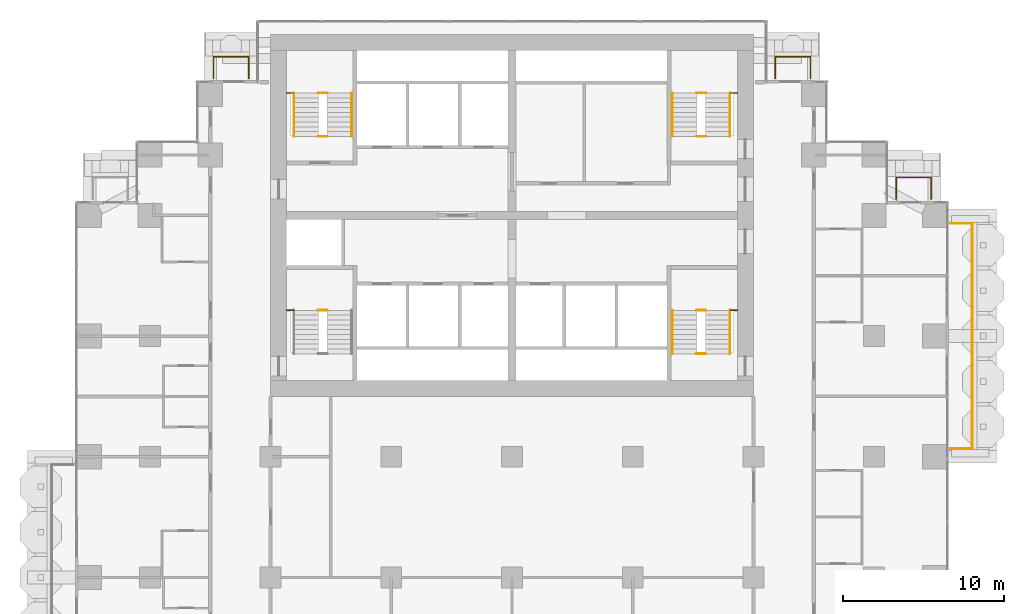
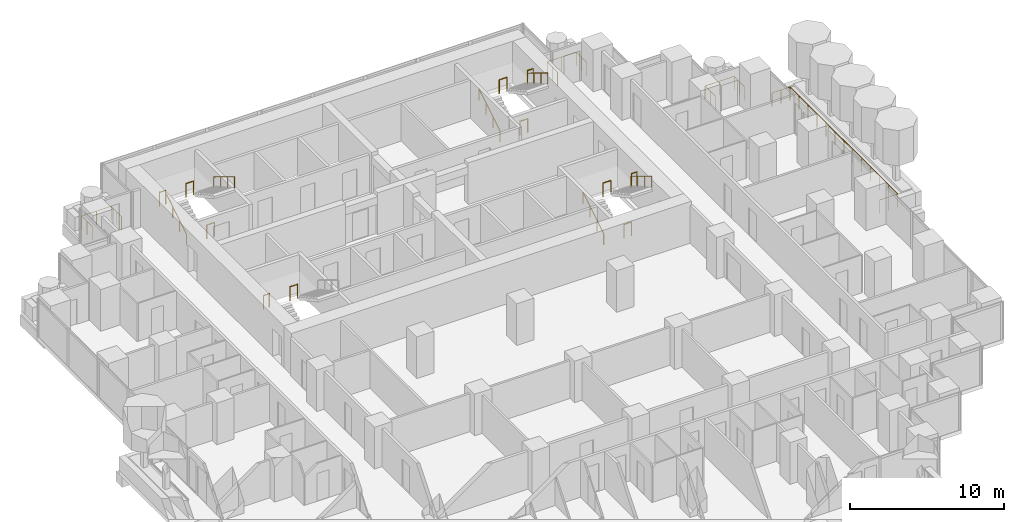
# One storey, part 18 of 19: 21 railings.
"""IFC4 building model written with IfcOpenShell, lengths in metres."""

from ifc_helpers import new_model, si_unit, direction, frame, origin, origin_2d, place, context, subcontext, project, spatial, circle, extrude, material, type_object, element, save


model = new_model("IFC4")

# Units and contexts
model_context = context("Model", 3, precision=1e-05, world=origin(), true_north=direction((0.0, 1.0)))
body_context = subcontext(model_context, "Body", "Model", "MODEL_VIEW")
ifc_project = project(units=[si_unit("LENGTHUNIT", "METRE"), si_unit("AREAUNIT", "SQUARE_METRE"), si_unit("VOLUMEUNIT", "CUBIC_METRE"), si_unit("PLANEANGLEUNIT", "RADIAN"), si_unit("MASSUNIT", "GRAM", prefix="KILO")], contexts=[model_context])

# Site, building, storey
site_placement = place(None, origin())
site = spatial("IfcSite", under=ifc_project, at=site_placement, CompositionType="ELEMENT")
building_placement = place(site_placement, origin())
building = spatial("IfcBuilding", under=site, at=building_placement, Name="Pilkhan Gate Tower", CompositionType="ELEMENT")
storey_placement = place(building_placement, frame((0.0, 0.0, 65.89990234375)))
storey = spatial("IfcBuildingStorey", under=building, at=storey_placement, Name="L14", CompositionType="ELEMENT", Elevation=65.89990234375)

# Railings
ifc_material_1 = material(Name="Pale anodised aluminium posts, laminated glass infill", Category="aluminium")
railing_type_1 = type_object("IfcRailingType", Name="Balcony guard G1", PredefinedType="BALUSTRADE", material=ifc_material_1)
railing_1_placement = place(storey_placement, frame((102.25, 68.0, 0.0)))
element("IfcRailing", 1, at=railing_1_placement, inside=storey, type_object=railing_type_1, Name="Balcony guard L14 E", PredefinedType="BALUSTRADE", context=body_context, shape_type="SweptSolid", body=[
    extrude(circle(Radius=0.02392578125, at=origin_2d()), frame((0.0, 0.0, 1.076171875), z_axis=(1.0, 0.0, 0.0), x_axis=(0.0, 1.0, 0.0)), (0.0, 0.0, 1.0), 1.35009765625),
    extrude(circle(Radius=0.02392578125, at=origin_2d()), frame((1.35009765625, 0.0, 1.076171875), z_axis=(0.0, 1.0, 0.0), x_axis=(-1.0, 0.0, 0.0)), (0.0, 0.0, 1.0), 14.0),
    extrude(circle(Radius=0.02392578125, at=origin_2d()), frame((1.35009765625, 14.0, 1.076171875), z_axis=(-1.0, 0.0, 0.0), x_axis=(0.0, -1.0, 0.0)), (0.0, 0.0, 1.0), 1.35009765625),
    extrude(circle(Radius=0.02099609375, at=origin_2d()), origin(), (0.0, 0.0, 1.0), 1.052001953125),
    extrude(circle(Radius=0.02099609375, at=origin_2d()), frame((0.675048828125, 0.0, 0.0)), (0.0, 0.0, 1.0), 1.052001953125),
    extrude(circle(Radius=0.02099609375, at=origin_2d()), frame((1.35009765625, 0.0, 0.0)), (0.0, 0.0, 1.0), 1.052001953125),
    extrude(circle(Radius=0.02099609375, at=origin_2d()), frame((1.35009765625, 1.166748046875, 0.0)), (0.0, 0.0, 1.0), 1.052001953125),
    extrude(circle(Radius=0.02099609375, at=origin_2d()), frame((1.35009765625, 2.333251953125, 0.0)), (0.0, 0.0, 1.0), 1.052001953125),
    extrude(circle(Radius=0.02099609375, at=origin_2d()), frame((1.35009765625, 3.5, 0.0)), (0.0, 0.0, 1.0), 1.052001953125),
    extrude(circle(Radius=0.02099609375, at=origin_2d()), frame((1.35009765625, 4.666748046875, 0.0)), (0.0, 0.0, 1.0), 1.052001953125),
    extrude(circle(Radius=0.02099609375, at=origin_2d()), frame((1.35009765625, 5.833251953125, 0.0)), (0.0, 0.0, 1.0), 1.052001953125),
    extrude(circle(Radius=0.02099609375, at=origin_2d()), frame((1.35009765625, 7.0, 0.0)), (0.0, 0.0, 1.0), 1.052001953125),
    extrude(circle(Radius=0.02099609375, at=origin_2d()), frame((1.35009765625, 8.166748046875, 0.0)), (0.0, 0.0, 1.0), 1.052001953125),
    extrude(circle(Radius=0.02099609375, at=origin_2d()), frame((1.35009765625, 9.333251953125, 0.0)), (0.0, 0.0, 1.0), 1.052001953125),
    extrude(circle(Radius=0.02099609375, at=origin_2d()), frame((1.35009765625, 10.5, 0.0)), (0.0, 0.0, 1.0), 1.052001953125),
    extrude(circle(Radius=0.02099609375, at=origin_2d()), frame((1.35009765625, 11.666748046875, 0.0)), (0.0, 0.0, 1.0), 1.052001953125),
    extrude(circle(Radius=0.02099609375, at=origin_2d()), frame((1.35009765625, 12.833251953125, 0.0)), (0.0, 0.0, 1.0), 1.052001953125),
    extrude(circle(Radius=0.02099609375, at=origin_2d()), frame((1.35009765625, 14.0, 0.0)), (0.0, 0.0, 1.0), 1.052001953125),
    extrude(circle(Radius=0.02099609375, at=origin_2d()), frame((0.675048828125, 14.0, 0.0)), (0.0, 0.0, 1.0), 1.052001953125),
    extrude(circle(Radius=0.02099609375, at=origin_2d()), frame((0.0, 14.0, 0.0)), (0.0, 0.0, 1.0), 1.052001953125),
])
for number, where, name in (
    (2, (56.449951171875, 91.0, 0.0), "Balcony guard L14 N"),
    (3, (91.35009765625, 91.0, 0.0), "Balcony guard L14 N"),
):
    element("IfcRailing", number, at=place(storey_placement, frame(where)), inside=storey, type_object=railing_type_1, Name=name, PredefinedType="BALUSTRADE", context=body_context, shape_type="SweptSolid", body=[
        extrude(circle(Radius=0.02392578125, at=origin_2d()), frame((0.0, 0.0, 1.076171875), z_axis=(0.0, 1.0, 0.0), x_axis=(-1.0, 0.0, 0.0)), (0.0, 0.0, 1.0), 1.35009765625),
        extrude(circle(Radius=0.02392578125, at=origin_2d()), frame((0.0, 1.35009765625, 1.076171875), z_axis=(1.0, 0.0, 0.0), x_axis=(0.0, 1.0, 0.0)), (0.0, 0.0, 1.0), 2.199951171875),
        extrude(circle(Radius=0.02392578125, at=origin_2d()), frame((2.199951171875, 1.35009765625, 1.076171875), z_axis=(0.0, -1.0, 0.0), x_axis=(1.0, 0.0, 0.0)), (0.0, 0.0, 1.0), 1.35009765625),
        extrude(circle(Radius=0.02099609375, at=origin_2d()), origin(), (0.0, 0.0, 1.0), 1.052001953125),
        extrude(circle(Radius=0.02099609375, at=origin_2d()), frame((0.0, 0.675048828125, 0.0)), (0.0, 0.0, 1.0), 1.052001953125),
        extrude(circle(Radius=0.02099609375, at=origin_2d()), frame((0.0, 1.35009765625, 0.0)), (0.0, 0.0, 1.0), 1.052001953125),
        extrude(circle(Radius=0.02099609375, at=origin_2d()), frame((1.10009765625, 1.35009765625, 0.0)), (0.0, 0.0, 1.0), 1.052001953125),
        extrude(circle(Radius=0.02099609375, at=origin_2d()), frame((2.199951171875, 1.35009765625, 0.0)), (0.0, 0.0, 1.0), 1.052001953125),
        extrude(circle(Radius=0.02099609375, at=origin_2d()), frame((2.199951171875, 0.675048828125, 0.0)), (0.0, 0.0, 1.0), 1.052001953125),
        extrude(circle(Radius=0.02099609375, at=origin_2d()), frame((2.199951171875, 0.0, 0.0)), (0.0, 0.0, 1.0), 1.052001953125),
    ])
railing_2_placement = place(storey_placement, frame((98.8701171875, 83.52001953125, 0.0)))
element("IfcRailing", 4, at=railing_2_placement, inside=storey, type_object=railing_type_1, Name="Balcony guard L14 N", PredefinedType="BALUSTRADE", context=body_context, shape_type="SweptSolid", body=[
    extrude(circle(Radius=0.02392578125, at=origin_2d()), frame((0.0, 0.0, 1.076171875), z_axis=(0.0, 1.0, 0.0), x_axis=(-1.0, 0.0, 0.0)), (0.0, 0.0, 1.0), 1.330078125),
    extrude(circle(Radius=0.02392578125, at=origin_2d()), frame((0.0, 1.330078125, 1.076171875), z_axis=(1.0, 0.0, 0.0), x_axis=(0.0, 1.0, 0.0)), (0.0, 0.0, 1.0), 2.179931640625),
    extrude(circle(Radius=0.02392578125, at=origin_2d()), frame((2.179931640625, 1.330078125, 1.076171875), z_axis=(0.0, -1.0, 0.0), x_axis=(1.0, 0.0, 0.0)), (0.0, 0.0, 1.0), 1.330078125),
    extrude(circle(Radius=0.02099609375, at=origin_2d()), origin(), (0.0, 0.0, 1.0), 1.052001953125),
    extrude(circle(Radius=0.02099609375, at=origin_2d()), frame((0.0, 0.6650390625, 0.0)), (0.0, 0.0, 1.0), 1.052001953125),
    extrude(circle(Radius=0.02099609375, at=origin_2d()), frame((0.0, 1.330078125, 0.0)), (0.0, 0.0, 1.0), 1.052001953125),
    extrude(circle(Radius=0.02099609375, at=origin_2d()), frame((1.08984375, 1.330078125, 0.0)), (0.0, 0.0, 1.0), 1.052001953125),
    extrude(circle(Radius=0.02099609375, at=origin_2d()), frame((2.179931640625, 1.330078125, 0.0)), (0.0, 0.0, 1.0), 1.052001953125),
    extrude(circle(Radius=0.02099609375, at=origin_2d()), frame((2.179931640625, 0.6650390625, 0.0)), (0.0, 0.0, 1.0), 1.052001953125),
    extrude(circle(Radius=0.02099609375, at=origin_2d()), frame((2.179931640625, 0.0, 0.0)), (0.0, 0.0, 1.0), 1.052001953125),
])
ifc_material_2 = material(Name="Black powder-coated steel tube", Category="steel")
railing_type_2 = type_object("IfcRailingType", Name="Stair handrail HR1", PredefinedType="HANDRAIL", material=ifc_material_2)
railing_3_placement = place(storey_placement, frame((84.949951171875, 73.89990234375, 0.0)))
element("IfcRailing", 5, at=railing_3_placement, inside=storey, type_object=railing_type_2, Name="Stair ST1 handrail L14", PredefinedType="HANDRAIL", context=body_context, shape_type="SweptSolid", body=[
    extrude(circle(Radius=0.02392578125, at=origin_2d()), frame((0.0, 0.0, 0.8759765625), z_axis=(0.0, 0.853278019476, 0.521456250781), x_axis=(-1.0, 0.0, 0.0)), (0.0, 0.0, 1.0), 3.16455078125),
    extrude(circle(Radius=0.02099609375, at=origin_2d()), origin(), (0.0, 0.0, 1.0), 0.851806640625),
    extrude(circle(Radius=0.02099609375, at=origin_2d()), frame((0.0, 0.900146484375, 0.550048828125)), (0.0, 0.0, 1.0), 0.851806640625),
    extrude(circle(Radius=0.02099609375, at=origin_2d()), frame((0.0, 1.800048828125, 1.10009765625)), (0.0, 0.0, 1.0), 0.851806640625),
    extrude(circle(Radius=0.02099609375, at=origin_2d()), frame((0.0, 2.7001953125, 1.650146484375)), (0.0, 0.0, 1.0), 0.851806640625),
])
railing_4_placement = place(storey_placement, frame((88.550048828125, 76.60009765625, 1.650146484375)))
element("IfcRailing", 6, at=railing_4_placement, inside=storey, type_object=railing_type_2, Name="Stair ST1 handrail L14", PredefinedType="HANDRAIL", context=body_context, shape_type="SweptSolid", body=[
    extrude(circle(Radius=0.02392578125, at=origin_2d()), frame((0.0, 0.0, 0.8759765625), z_axis=(0.0, -0.853312346642, 0.521400075823), x_axis=(1.0, 0.0, 0.0)), (0.0, 0.0, 1.0), 3.164306640625),
    extrude(circle(Radius=0.02099609375, at=origin_2d()), origin(), (0.0, 0.0, 1.0), 0.851806640625),
    extrude(circle(Radius=0.02099609375, at=origin_2d()), frame((0.0, -0.900146484375, 0.550048828125)), (0.0, 0.0, 1.0), 0.851806640625),
    extrude(circle(Radius=0.02099609375, at=origin_2d()), frame((0.0, -1.800048828125, 1.099853515625)), (0.0, 0.0, 1.0), 0.851806640625),
    extrude(circle(Radius=0.02099609375, at=origin_2d()), frame((0.0, -2.7001953125, 1.64990234375)), (0.0, 0.0, 1.0), 0.851806640625),
])
railing_5_placement = place(storey_placement, frame((61.449951171875, 87.39990234375, 0.0)))
element("IfcRailing", 7, at=railing_5_placement, inside=storey, type_object=railing_type_2, Name="Stair ST3 handrail L14", PredefinedType="HANDRAIL", context=body_context, shape_type="SweptSolid", body=[
    extrude(circle(Radius=0.02392578125, at=origin_2d()), frame((0.0, 0.0, 0.8759765625), z_axis=(0.0, 0.853278019476, 0.521456250781), x_axis=(-1.0, 0.0, 0.0)), (0.0, 0.0, 1.0), 3.16455078125),
    extrude(circle(Radius=0.02099609375, at=origin_2d()), origin(), (0.0, 0.0, 1.0), 0.851806640625),
    extrude(circle(Radius=0.02099609375, at=origin_2d()), frame((0.0, 0.900146484375, 0.550048828125)), (0.0, 0.0, 1.0), 0.851806640625),
    extrude(circle(Radius=0.02099609375, at=origin_2d()), frame((0.0, 1.800048828125, 1.10009765625)), (0.0, 0.0, 1.0), 0.851806640625),
    extrude(circle(Radius=0.02099609375, at=origin_2d()), frame((0.0, 2.7001953125, 1.650146484375)), (0.0, 0.0, 1.0), 0.851806640625),
])
railing_6_placement = place(storey_placement, frame((65.050048828125, 90.10009765625, 1.650146484375)))
element("IfcRailing", 8, at=railing_6_placement, inside=storey, type_object=railing_type_2, Name="Stair ST3 handrail L14", PredefinedType="HANDRAIL", context=body_context, shape_type="SweptSolid", body=[
    extrude(circle(Radius=0.02392578125, at=origin_2d()), frame((0.0, 0.0, 0.8759765625), z_axis=(0.0, -0.853312346642, 0.521400075823), x_axis=(1.0, 0.0, 0.0)), (0.0, 0.0, 1.0), 3.164306640625),
    extrude(circle(Radius=0.02099609375, at=origin_2d()), origin(), (0.0, 0.0, 1.0), 0.851806640625),
    extrude(circle(Radius=0.02099609375, at=origin_2d()), frame((0.0, -0.900146484375, 0.550048828125)), (0.0, 0.0, 1.0), 0.851806640625),
    extrude(circle(Radius=0.02099609375, at=origin_2d()), frame((0.0, -1.800048828125, 1.099853515625)), (0.0, 0.0, 1.0), 0.851806640625),
    extrude(circle(Radius=0.02099609375, at=origin_2d()), frame((0.0, -2.7001953125, 1.64990234375)), (0.0, 0.0, 1.0), 0.851806640625),
])
railing_7_placement = place(storey_placement, frame((84.949951171875, 87.39990234375, 0.0)))
element("IfcRailing", 9, at=railing_7_placement, inside=storey, type_object=railing_type_2, Name="Stair ST4 handrail L14", PredefinedType="HANDRAIL", context=body_context, shape_type="SweptSolid", body=[
    extrude(circle(Radius=0.02392578125, at=origin_2d()), frame((0.0, 0.0, 0.8759765625), z_axis=(0.0, 0.853278019476, 0.521456250781), x_axis=(-1.0, 0.0, 0.0)), (0.0, 0.0, 1.0), 3.16455078125),
    extrude(circle(Radius=0.02099609375, at=origin_2d()), origin(), (0.0, 0.0, 1.0), 0.851806640625),
    extrude(circle(Radius=0.02099609375, at=origin_2d()), frame((0.0, 0.900146484375, 0.550048828125)), (0.0, 0.0, 1.0), 0.851806640625),
    extrude(circle(Radius=0.02099609375, at=origin_2d()), frame((0.0, 1.800048828125, 1.10009765625)), (0.0, 0.0, 1.0), 0.851806640625),
    extrude(circle(Radius=0.02099609375, at=origin_2d()), frame((0.0, 2.7001953125, 1.650146484375)), (0.0, 0.0, 1.0), 0.851806640625),
])
railing_8_placement = place(storey_placement, frame((88.550048828125, 90.10009765625, 1.650146484375)))
element("IfcRailing", 10, at=railing_8_placement, inside=storey, type_object=railing_type_2, Name="Stair ST4 handrail L14", PredefinedType="HANDRAIL", context=body_context, shape_type="SweptSolid", body=[
    extrude(circle(Radius=0.02392578125, at=origin_2d()), frame((0.0, 0.0, 0.8759765625), z_axis=(0.0, -0.853312346642, 0.521400075823), x_axis=(1.0, 0.0, 0.0)), (0.0, 0.0, 1.0), 3.164306640625),
    extrude(circle(Radius=0.02099609375, at=origin_2d()), origin(), (0.0, 0.0, 1.0), 0.851806640625),
    extrude(circle(Radius=0.02099609375, at=origin_2d()), frame((0.0, -0.900146484375, 0.550048828125)), (0.0, 0.0, 1.0), 0.851806640625),
    extrude(circle(Radius=0.02099609375, at=origin_2d()), frame((0.0, -1.800048828125, 1.099853515625)), (0.0, 0.0, 1.0), 0.851806640625),
    extrude(circle(Radius=0.02099609375, at=origin_2d()), frame((0.0, -2.7001953125, 1.64990234375)), (0.0, 0.0, 1.0), 0.851806640625),
])
ifc_material_3 = material(Name="Black powder-coated steel balusters", Category="steel")
railing_type_3 = type_object("IfcRailingType", Name="Stair well guard G3", PredefinedType="GUARDRAIL", material=ifc_material_3)
railing_9_placement = place(storey_placement, frame((88.580078125, 76.60009765625, 1.650146484375)))
element("IfcRailing", 11, at=railing_9_placement, inside=storey, type_object=railing_type_3, Name="Stair ST1 well guard L14", PredefinedType="GUARDRAIL", context=body_context, shape_type="SweptSolid", body=[
    extrude(circle(Radius=0.02392578125, at=origin_2d()), frame((0.0, 0.0, 1.076171875), z_axis=(1.0, 0.0, 0.0), x_axis=(0.0, 1.0, 0.0)), (0.0, 0.0, 1.0), 0.43994140625),
    extrude(circle(Radius=0.02099609375, at=origin_2d()), origin(), (0.0, 0.0, 1.0), 1.052001953125),
    extrude(circle(Radius=0.02099609375, at=origin_2d()), frame((0.43994140625, 0.0, 0.0)), (0.0, 0.0, 1.0), 1.052001953125),
])
for number, where, name in (
    (12, (86.4599609375, 73.89990234375, 0.0), "Stair ST1 well guard L14"),
    (13, (86.4599609375, 76.60009765625, 1.650146484375), "Stair ST1 well guard L14"),
):
    element("IfcRailing", number, at=place(storey_placement, frame(where)), inside=storey, type_object=railing_type_3, Name=name, PredefinedType="GUARDRAIL", context=body_context, shape_type="SweptSolid", body=[
        extrude(circle(Radius=0.02392578125, at=origin_2d()), frame((0.0, 0.0, 1.076171875), z_axis=(1.0, 0.0, 0.0), x_axis=(0.0, 1.0, 0.0)), (0.0, 0.0, 1.0), 0.580078125),
        extrude(circle(Radius=0.02099609375, at=origin_2d()), origin(), (0.0, 0.0, 1.0), 1.052001953125),
        extrude(circle(Radius=0.02099609375, at=origin_2d()), frame((0.580078125, 0.0, 0.0)), (0.0, 0.0, 1.0), 1.052001953125),
    ])
railing_10_placement = place(storey_placement, frame((60.97998046875, 76.60009765625, 1.650146484375)))
element("IfcRailing", 14, at=railing_10_placement, inside=storey, type_object=railing_type_3, Name="Stair ST2 well guard L14", PredefinedType="GUARDRAIL", context=body_context, shape_type="SweptSolid", body=[
    extrude(circle(Radius=0.02392578125, at=origin_2d()), frame((0.0, 0.0, 1.076171875), z_axis=(1.0, 0.0, 0.0), x_axis=(0.0, 1.0, 0.0)), (0.0, 0.0, 1.0), 0.43994140625),
    extrude(circle(Radius=0.02099609375, at=origin_2d()), origin(), (0.0, 0.0, 1.0), 1.052001953125),
    extrude(circle(Radius=0.02099609375, at=origin_2d()), frame((0.43994140625, 0.0, 0.0)), (0.0, 0.0, 1.0), 1.052001953125),
])
railing_11_placement = place(storey_placement, frame((62.9599609375, 76.60009765625, 1.650146484375)))
element("IfcRailing", 15, at=railing_11_placement, inside=storey, type_object=railing_type_3, Name="Stair ST2 well guard L14", PredefinedType="GUARDRAIL", context=body_context, shape_type="SweptSolid", body=[
    extrude(circle(Radius=0.02392578125, at=origin_2d()), frame((0.0, 0.0, 1.076171875), z_axis=(1.0, 0.0, 0.0), x_axis=(0.0, 1.0, 0.0)), (0.0, 0.0, 1.0), 0.580078125),
    extrude(circle(Radius=0.02099609375, at=origin_2d()), origin(), (0.0, 0.0, 1.0), 1.052001953125),
    extrude(circle(Radius=0.02099609375, at=origin_2d()), frame((0.580078125, 0.0, 0.0)), (0.0, 0.0, 1.0), 1.052001953125),
])
railing_12_placement = place(storey_placement, frame((60.97998046875, 90.10009765625, 1.650146484375)))
element("IfcRailing", 16, at=railing_12_placement, inside=storey, type_object=railing_type_3, Name="Stair ST3 well guard L14", PredefinedType="GUARDRAIL", context=body_context, shape_type="SweptSolid", body=[
    extrude(circle(Radius=0.02392578125, at=origin_2d()), frame((0.0, 0.0, 1.076171875), z_axis=(1.0, 0.0, 0.0), x_axis=(0.0, 1.0, 0.0)), (0.0, 0.0, 1.0), 0.43994140625),
    extrude(circle(Radius=0.02099609375, at=origin_2d()), origin(), (0.0, 0.0, 1.0), 1.052001953125),
    extrude(circle(Radius=0.02099609375, at=origin_2d()), frame((0.43994140625, 0.0, 0.0)), (0.0, 0.0, 1.0), 1.052001953125),
])
for number, where, name in (
    (17, (62.9599609375, 87.39990234375, 0.0), "Stair ST3 well guard L14"),
    (18, (62.9599609375, 90.10009765625, 1.650146484375), "Stair ST3 well guard L14"),
):
    element("IfcRailing", number, at=place(storey_placement, frame(where)), inside=storey, type_object=railing_type_3, Name=name, PredefinedType="GUARDRAIL", context=body_context, shape_type="SweptSolid", body=[
        extrude(circle(Radius=0.02392578125, at=origin_2d()), frame((0.0, 0.0, 1.076171875), z_axis=(1.0, 0.0, 0.0), x_axis=(0.0, 1.0, 0.0)), (0.0, 0.0, 1.0), 0.580078125),
        extrude(circle(Radius=0.02099609375, at=origin_2d()), origin(), (0.0, 0.0, 1.0), 1.052001953125),
        extrude(circle(Radius=0.02099609375, at=origin_2d()), frame((0.580078125, 0.0, 0.0)), (0.0, 0.0, 1.0), 1.052001953125),
    ])
railing_13_placement = place(storey_placement, frame((88.580078125, 90.10009765625, 1.650146484375)))
element("IfcRailing", 19, at=railing_13_placement, inside=storey, type_object=railing_type_3, Name="Stair ST4 well guard L14", PredefinedType="GUARDRAIL", context=body_context, shape_type="SweptSolid", body=[
    extrude(circle(Radius=0.02392578125, at=origin_2d()), frame((0.0, 0.0, 1.076171875), z_axis=(1.0, 0.0, 0.0), x_axis=(0.0, 1.0, 0.0)), (0.0, 0.0, 1.0), 0.43994140625),
    extrude(circle(Radius=0.02099609375, at=origin_2d()), origin(), (0.0, 0.0, 1.0), 1.052001953125),
    extrude(circle(Radius=0.02099609375, at=origin_2d()), frame((0.43994140625, 0.0, 0.0)), (0.0, 0.0, 1.0), 1.052001953125),
])
for number, where, name in (
    (20, (86.4599609375, 87.39990234375, 0.0), "Stair ST4 well guard L14"),
    (21, (86.4599609375, 90.10009765625, 1.650146484375), "Stair ST4 well guard L14"),
):
    element("IfcRailing", number, at=place(storey_placement, frame(where)), inside=storey, type_object=railing_type_3, Name=name, PredefinedType="GUARDRAIL", context=body_context, shape_type="SweptSolid", body=[
        extrude(circle(Radius=0.02392578125, at=origin_2d()), frame((0.0, 0.0, 1.076171875), z_axis=(1.0, 0.0, 0.0), x_axis=(0.0, 1.0, 0.0)), (0.0, 0.0, 1.0), 0.580078125),
        extrude(circle(Radius=0.02099609375, at=origin_2d()), origin(), (0.0, 0.0, 1.0), 1.052001953125),
        extrude(circle(Radius=0.02099609375, at=origin_2d()), frame((0.580078125, 0.0, 0.0)), (0.0, 0.0, 1.0), 1.052001953125),
    ])

save(model, "model.ifc")
